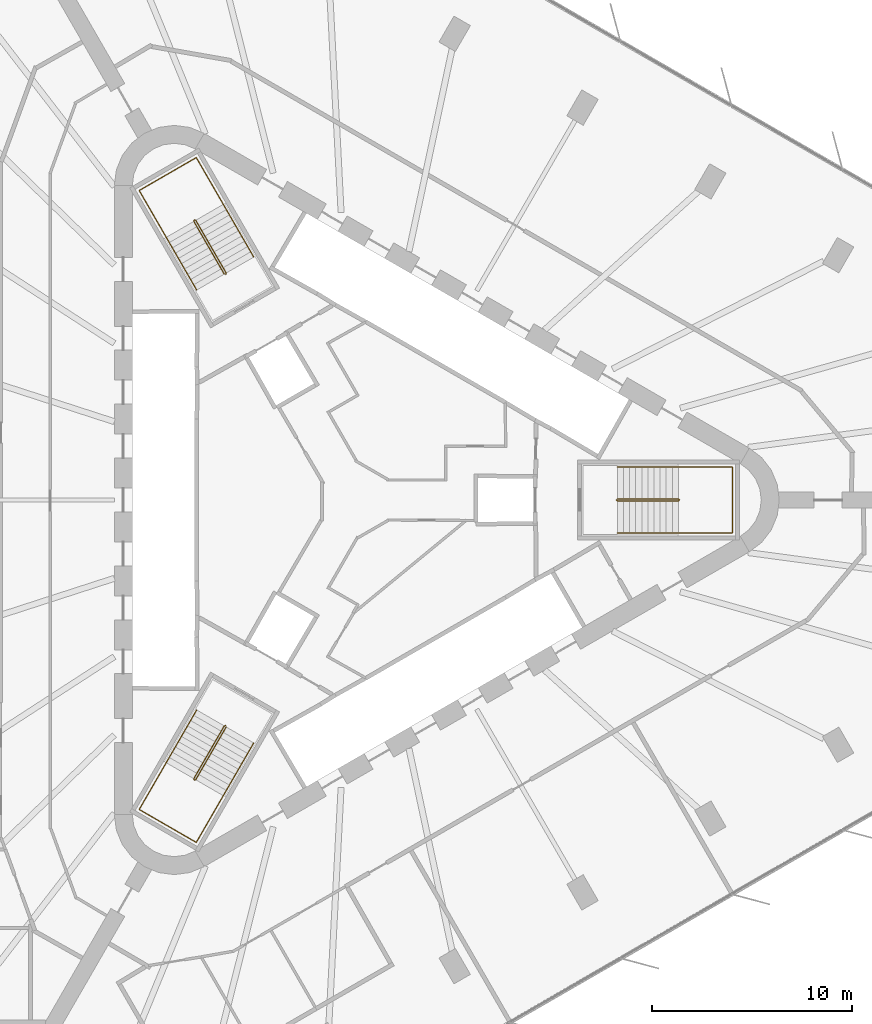
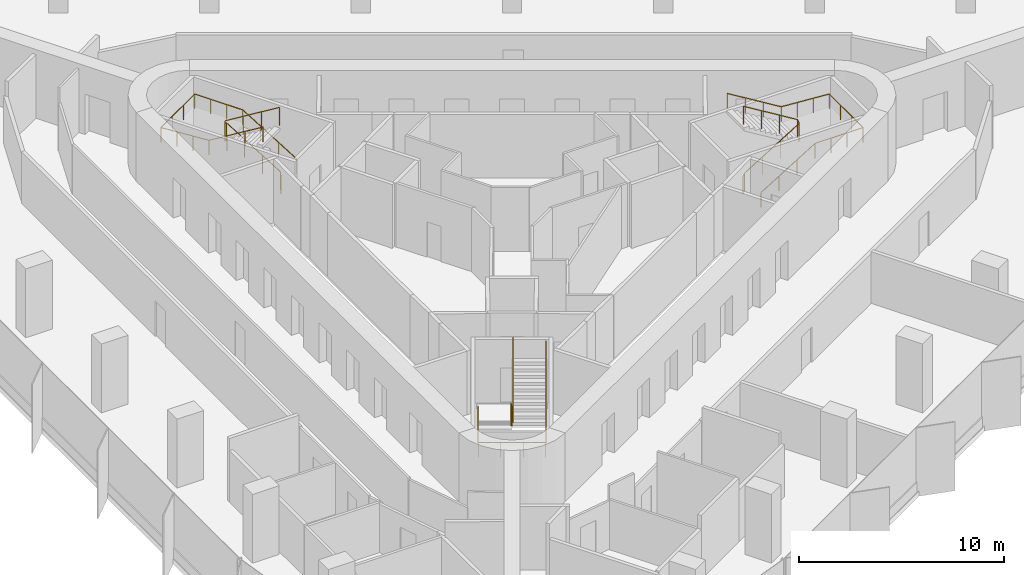
# One storey, part 15 of 15: 6 railings.
"""IFC4 building model written with IfcOpenShell, lengths in metres."""

from ifc_helpers import new_model, si_unit, direction, frame, origin, origin_2d, place, context, subcontext, project, spatial, circle, extrude, material, type_object, element, save


model = new_model("IFC4")

# Units and contexts
model_context = context("Model", 3, precision=1e-05, world=origin(), true_north=direction((0.0, 1.0)))
body_context = subcontext(model_context, "Body", "Model", "MODEL_VIEW")
ifc_project = project(units=[si_unit("LENGTHUNIT", "METRE"), si_unit("AREAUNIT", "SQUARE_METRE"), si_unit("VOLUMEUNIT", "CUBIC_METRE"), si_unit("PLANEANGLEUNIT", "RADIAN"), si_unit("MASSUNIT", "GRAM", prefix="KILO")], contexts=[model_context])

# Site, building, storey
site_placement = place(None, origin())
site = spatial("IfcSite", under=ifc_project, at=site_placement, CompositionType="ELEMENT")
building_placement = place(site_placement, origin())
building = spatial("IfcBuilding", under=site, at=building_placement, Name="Tanit Gate Tower", CompositionType="ELEMENT")
storey_placement = place(building_placement, frame((0.0, 0.0, 131.60009765625)))
storey = spatial("IfcBuildingStorey", under=building, at=storey_placement, Name="L28", CompositionType="ELEMENT", Elevation=131.60009765625)

# Railings
ifc_material_1 = material(Name="Stainless steel balustrade", Category="steel")
railing_type_1 = type_object("IfcRailingType", Name="INT-STAIR-GUARD", PredefinedType="GUARDRAIL", material=ifc_material_1)
railing_1_placement = place(storey_placement, frame((13.044921875, 0.0048828125, 0.0)))
element("IfcRailing", 1, at=railing_1_placement, inside=storey, type_object=railing_type_1, Name="L28 S1 stair guard 1", PredefinedType="GUARDRAIL", context=body_context, shape_type="SweptSolid", body=[
    extrude(circle(Radius=0.02392578125, at=origin_2d()), frame((0.0, 0.0, 1.076171875), z_axis=(0.0, -1.0, 0.0), x_axis=(1.0, 0.0, 0.0)), (0.0, 0.0, 1.0), 0.009765625),
    extrude(circle(Radius=0.02392578125, at=origin_2d()), frame((0.0, -0.009765625, 1.076171875), z_axis=(0.251157038772, -0.251157038772, 0.934794246747), x_axis=(0.707106781187, 0.707106781187, 0.0)), (0.0, 0.0, 1.0), 0.19921875),
    extrude(circle(Radius=0.02392578125, at=origin_2d()), frame((0.050048828125, -0.059814453125, 1.26220703125), z_axis=(0.853405036568, 0.0, 0.521248351134), x_axis=(0.0, 1.0, 0.0)), (0.0, 0.0, 1.0), 3.5751953125),
    extrude(circle(Radius=0.02392578125, at=origin_2d()), frame((3.10107421875, -0.059814453125, 3.1259765625), z_axis=(0.707106781187, 0.707106781187, 0.0), x_axis=(-0.707106781187, 0.707106781187, 0.0)), (0.0, 0.0, 1.0), 0.07080078125),
    extrude(circle(Radius=0.02392578125, at=origin_2d()), frame((3.151123046875, -0.009765625, 3.1259765625), z_axis=(0.0, 1.0, 0.0), x_axis=(-1.0, 0.0, 0.0)), (0.0, 0.0, 1.0), 0.009765625),
    extrude(circle(Radius=0.02392578125, at=origin_2d()), frame((3.151123046875, 0.0, 3.1259765625), z_axis=(-0.250869701741, 0.250869701741, 0.934948546978), x_axis=(-0.707106781187, -0.707106781187, 0.0)), (0.0, 0.0, 1.0), 0.199462890625),
    extrude(circle(Radius=0.02392578125, at=origin_2d()), frame((3.10107421875, 0.050048828125, 3.3125), z_axis=(-0.853405036568, 0.0, 0.521248351134), x_axis=(0.0, -1.0, 0.0)), (0.0, 0.0, 1.0), 3.5751953125),
    extrude(circle(Radius=0.02099609375, at=origin_2d()), origin(), (0.0, 0.0, 1.0), 1.052001953125),
    extrude(circle(Radius=0.02099609375, at=origin_2d()), frame((0.0, -0.009765625, 0.0)), (0.0, 0.0, 1.0), 1.052001953125),
    extrude(circle(Radius=0.02099609375, at=origin_2d()), frame((0.050048828125, -0.059814453125, 0.186279296875)), (0.0, 0.0, 1.0), 1.052001953125),
    extrude(circle(Radius=0.02099609375, at=origin_2d()), frame((1.067138671875, -0.059814453125, 0.807373046875)), (0.0, 0.0, 1.0), 1.052001953125),
    extrude(circle(Radius=0.02099609375, at=origin_2d()), frame((2.083984375, -0.059814453125, 1.4287109375)), (0.0, 0.0, 1.0), 1.052001953125),
    extrude(circle(Radius=0.02099609375, at=origin_2d()), frame((3.10107421875, -0.059814453125, 2.0498046875)), (0.0, 0.0, 1.0), 1.052001953125),
    extrude(circle(Radius=0.02099609375, at=origin_2d()), frame((3.151123046875, -0.009765625, 2.0498046875)), (0.0, 0.0, 1.0), 1.052001953125),
    extrude(circle(Radius=0.02099609375, at=origin_2d()), frame((3.151123046875, 0.0, 2.0498046875)), (0.0, 0.0, 1.0), 1.052001953125),
    extrude(circle(Radius=0.02099609375, at=origin_2d()), frame((3.10107421875, 0.050048828125, 2.236328125)), (0.0, 0.0, 1.0), 1.052001953125),
    extrude(circle(Radius=0.02099609375, at=origin_2d()), frame((2.083984375, 0.050048828125, 2.857421875)), (0.0, 0.0, 1.0), 1.052001953125),
    extrude(circle(Radius=0.02099609375, at=origin_2d()), frame((1.067138671875, 0.050048828125, 3.478759765625)), (0.0, 0.0, 1.0), 1.052001953125),
    extrude(circle(Radius=0.02099609375, at=origin_2d()), frame((0.050048828125, 0.050048828125, 4.099853515625)), (0.0, 0.0, 1.0), 1.052001953125),
])
railing_2_placement = place(storey_placement, frame((-6.527099609375, 11.29345703125, 0.0)))
element("IfcRailing", 2, at=railing_2_placement, inside=storey, type_object=railing_type_1, Name="L28 S2 stair guard 1", PredefinedType="GUARDRAIL", context=body_context, shape_type="SweptSolid", body=[
    extrude(circle(Radius=0.02392578125, at=origin_2d()), frame((0.0, 0.0, 1.076171875), z_axis=(0.868243142124, 0.496138938357, 0.0), x_axis=(-0.496138938357, 0.868243142124, 0.0)), (0.0, 0.0, 1.0), 0.01171875),
    extrude(circle(Radius=0.02392578125, at=origin_2d()), frame((0.01025390625, 0.005859375, 1.076171875), z_axis=(0.091888445584, 0.343050196848, 0.93481178641), x_axis=(-0.965948051503, 0.258736085224, 0.0)), (0.0, 0.0, 1.0), 0.19921875),
    extrude(circle(Radius=0.02392578125, at=origin_2d()), frame((0.028564453125, 0.07421875, 1.26220703125), z_axis=(-0.426651696395, 0.73893750972, 0.521478366466), x_axis=(-0.866012246495, -0.500022788402, 0.0)), (0.0, 0.0, 1.0), 3.573486328125),
    extrude(circle(Radius=0.02392578125, at=origin_2d()), frame((-1.49609375, 2.71484375, 3.1259765625), z_axis=(-0.965715946433, 0.259601060869, 0.0), x_axis=(-0.259601060869, -0.965715946433, 0.0)), (0.0, 0.0, 1.0), 0.070556640625),
    extrude(circle(Radius=0.02392578125, at=origin_2d()), frame((-1.564208984375, 2.733154296875, 3.1259765625), z_axis=(-0.873197702015, -0.487366159264, 0.0), x_axis=(0.487366159264, -0.873197702015, 0.0)), (0.0, 0.0, 1.0), 0.011962890625),
    extrude(circle(Radius=0.02392578125, at=origin_2d()), frame((-1.57470703125, 2.727294921875, 3.1259765625), z_axis=(-0.09178331637, -0.342657714447, 0.934966049419), x_axis=(0.965948051503, -0.258736085224, 0.0)), (0.0, 0.0, 1.0), 0.199462890625),
    extrude(circle(Radius=0.02392578125, at=origin_2d()), frame((-1.593017578125, 2.658935546875, 3.3125), z_axis=(0.426651696395, -0.73893750972, 0.521478366466), x_axis=(0.866012246495, 0.500022788402, 0.0)), (0.0, 0.0, 1.0), 3.573486328125),
    extrude(circle(Radius=0.02099609375, at=origin_2d()), origin(), (0.0, 0.0, 1.0), 1.052001953125),
    extrude(circle(Radius=0.02099609375, at=origin_2d()), frame((0.01025390625, 0.005859375, 0.0)), (0.0, 0.0, 1.0), 1.052001953125),
    extrude(circle(Radius=0.02099609375, at=origin_2d()), frame((0.028564453125, 0.07421875, 0.186279296875)), (0.0, 0.0, 1.0), 1.052001953125),
    extrude(circle(Radius=0.02099609375, at=origin_2d()), frame((-0.479736328125, 0.954345703125, 0.807373046875)), (0.0, 0.0, 1.0), 1.052001953125),
    extrude(circle(Radius=0.02099609375, at=origin_2d()), frame((-0.98779296875, 1.834716796875, 1.4287109375)), (0.0, 0.0, 1.0), 1.052001953125),
    extrude(circle(Radius=0.02099609375, at=origin_2d()), frame((-1.49609375, 2.71484375, 2.0498046875)), (0.0, 0.0, 1.0), 1.052001953125),
    extrude(circle(Radius=0.02099609375, at=origin_2d()), frame((-1.564208984375, 2.733154296875, 2.0498046875)), (0.0, 0.0, 1.0), 1.052001953125),
    extrude(circle(Radius=0.02099609375, at=origin_2d()), frame((-1.57470703125, 2.727294921875, 2.0498046875)), (0.0, 0.0, 1.0), 1.052001953125),
    extrude(circle(Radius=0.02099609375, at=origin_2d()), frame((-1.593017578125, 2.658935546875, 2.236328125)), (0.0, 0.0, 1.0), 1.052001953125),
    extrude(circle(Radius=0.02099609375, at=origin_2d()), frame((-1.084716796875, 1.77880859375, 2.857421875)), (0.0, 0.0, 1.0), 1.052001953125),
    extrude(circle(Radius=0.02099609375, at=origin_2d()), frame((-0.57666015625, 0.8984375, 3.478759765625)), (0.0, 0.0, 1.0), 1.052001953125),
    extrude(circle(Radius=0.02099609375, at=origin_2d()), frame((-0.068359375, 0.018310546875, 4.099853515625)), (0.0, 0.0, 1.0), 1.052001953125),
])
railing_3_placement = place(storey_placement, frame((-6.51806640625, -11.2998046875, 0.0)))
element("IfcRailing", 3, at=railing_3_placement, inside=storey, type_object=railing_type_1, Name="L28 S3 stair guard 1", PredefinedType="GUARDRAIL", context=body_context, shape_type="SweptSolid", body=[
    extrude(circle(Radius=0.02392578125, at=origin_2d()), frame((0.0, 0.0, 1.076171875), z_axis=(-0.874157276122, 0.485642931179, 0.0), x_axis=(-0.485642931179, -0.874157276122, 0.0)), (0.0, 0.0, 1.0), 0.010009765625),
    extrude(circle(Radius=0.02392578125, at=origin_2d()), frame((-0.0087890625, 0.0048828125, 1.076171875), z_axis=(-0.343088566343, -0.090673406819, 0.934916343285), x_axis=(0.255512919477, -0.966805641264, 0.0)), (0.0, 0.0, 1.0), 0.19921875),
    extrude(circle(Radius=0.02392578125, at=origin_2d()), frame((-0.0771484375, -0.01318359375, 1.26220703125), z_axis=(-0.426668548982, -0.73908990167, 0.521248565042), x_axis=(0.866048339477, -0.499960272111, 0.0)), (0.0, 0.0, 1.0), 3.5751953125),
    extrude(circle(Radius=0.02392578125, at=origin_2d()), frame((-1.6025390625, -2.655517578125, 3.1259765625), z_axis=(0.258736085224, -0.965948051503, 0.0), x_axis=(0.965948051503, 0.258736085224, 0.0)), (0.0, 0.0, 1.0), 0.07080078125),
    extrude(circle(Radius=0.02392578125, at=origin_2d()), frame((-1.584228515625, -2.723876953125, 3.1259765625), z_axis=(0.868243142124, -0.496138938357, 0.0), x_axis=(0.496138938357, 0.868243142124, 0.0)), (0.0, 0.0, 1.0), 0.009765625),
    extrude(circle(Radius=0.02392578125, at=origin_2d()), frame((-1.57568359375, -2.728759765625, 3.1259765625), z_axis=(0.342657714447, 0.09178331637, 0.934966049419), x_axis=(-0.258736085224, 0.965948051503, 0.0)), (0.0, 0.0, 1.0), 0.199462890625),
    extrude(circle(Radius=0.02392578125, at=origin_2d()), frame((-1.50732421875, -2.71044921875, 3.3125), z_axis=(0.426745940485, 0.73903737685, 0.521259683745), x_axis=(-0.865993683553, 0.500054937028, 0.0)), (0.0, 0.0, 1.0), 3.574951171875),
    extrude(circle(Radius=0.02099609375, at=origin_2d()), origin(), (0.0, 0.0, 1.0), 1.052001953125),
    extrude(circle(Radius=0.02099609375, at=origin_2d()), frame((-0.0087890625, 0.0048828125, 0.0)), (0.0, 0.0, 1.0), 1.052001953125),
    extrude(circle(Radius=0.02099609375, at=origin_2d()), frame((-0.0771484375, -0.01318359375, 0.186279296875)), (0.0, 0.0, 1.0), 1.052001953125),
    extrude(circle(Radius=0.02099609375, at=origin_2d()), frame((-0.585693359375, -0.89404296875, 0.807373046875)), (0.0, 0.0, 1.0), 1.052001953125),
    extrude(circle(Radius=0.02099609375, at=origin_2d()), frame((-1.093994140625, -1.774658203125, 1.4287109375)), (0.0, 0.0, 1.0), 1.052001953125),
    extrude(circle(Radius=0.02099609375, at=origin_2d()), frame((-1.6025390625, -2.655517578125, 2.0498046875)), (0.0, 0.0, 1.0), 1.052001953125),
    extrude(circle(Radius=0.02099609375, at=origin_2d()), frame((-1.584228515625, -2.723876953125, 2.0498046875)), (0.0, 0.0, 1.0), 1.052001953125),
    extrude(circle(Radius=0.02099609375, at=origin_2d()), frame((-1.57568359375, -2.728759765625, 2.0498046875)), (0.0, 0.0, 1.0), 1.052001953125),
    extrude(circle(Radius=0.02099609375, at=origin_2d()), frame((-1.50732421875, -2.71044921875, 2.236328125)), (0.0, 0.0, 1.0), 1.052001953125),
    extrude(circle(Radius=0.02099609375, at=origin_2d()), frame((-0.998779296875, -1.829833984375, 2.857421875)), (0.0, 0.0, 1.0), 1.052001953125),
    extrude(circle(Radius=0.02099609375, at=origin_2d()), frame((-0.490234375, -0.948974609375, 3.478759765625)), (0.0, 0.0, 1.0), 1.052001953125),
    extrude(circle(Radius=0.02099609375, at=origin_2d()), frame((0.018310546875, -0.068359375, 4.099853515625)), (0.0, 0.0, 1.0), 1.052001953125),
])
ifc_material_2 = material(Name="Stainless steel handrail", Category="steel")
railing_type_2 = type_object("IfcRailingType", Name="INT-STAIR-HANDRAIL", PredefinedType="HANDRAIL", material=ifc_material_2)
railing_4_placement = place(storey_placement, frame((13.094970703125, -1.64990234375, 0.186279296875)))
element("IfcRailing", 4, at=railing_4_placement, inside=storey, type_object=railing_type_2, Name="L28 S1 stair handrail 1", PredefinedType="HANDRAIL", context=body_context, shape_type="SweptSolid", body=[
    extrude(circle(Radius=0.02392578125, at=origin_2d()), frame((0.0, 0.0, 0.8759765625), z_axis=(0.853405036568, 0.0, 0.521248351134), x_axis=(0.0, 1.0, 0.0)), (0.0, 0.0, 1.0), 3.5751953125),
    extrude(circle(Radius=0.02392578125, at=origin_2d()), frame((3.051025390625, 0.0, 2.7392578125), z_axis=(1.0, 0.0, 0.0), x_axis=(0.0, 1.0, 0.0)), (0.0, 0.0, 1.0), 2.7041015625),
    extrude(circle(Radius=0.02392578125, at=origin_2d()), frame((5.755126953125, 0.0, 2.7392578125), z_axis=(0.0, 1.0, 0.0), x_axis=(-1.0, 0.0, 0.0)), (0.0, 0.0, 1.0), 3.2998046875),
    extrude(circle(Radius=0.02392578125, at=origin_2d()), frame((5.755126953125, 3.2998046875, 2.7392578125), z_axis=(-0.997629475601, 0.0, 0.068814456425), x_axis=(0.0, -1.0, 0.0)), (0.0, 0.0, 1.0), 2.71044921875),
    extrude(circle(Radius=0.02392578125, at=origin_2d()), frame((3.051025390625, 3.2998046875, 2.92578125), z_axis=(-0.853405036568, 0.0, 0.521248351134), x_axis=(0.0, -1.0, 0.0)), (0.0, 0.0, 1.0), 3.5751953125),
    extrude(circle(Radius=0.02099609375, at=origin_2d()), origin(), (0.0, 0.0, 1.0), 0.851806640625),
    extrude(circle(Radius=0.02099609375, at=origin_2d()), frame((1.01708984375, 0.0, 0.62109375)), (0.0, 0.0, 1.0), 0.851806640625),
    extrude(circle(Radius=0.02099609375, at=origin_2d()), frame((2.033935546875, 0.0, 1.242431640625)), (0.0, 0.0, 1.0), 0.851806640625),
    extrude(circle(Radius=0.02099609375, at=origin_2d()), frame((3.051025390625, 0.0, 1.863525390625)), (0.0, 0.0, 1.0), 0.851806640625),
    extrude(circle(Radius=0.02099609375, at=origin_2d()), frame((3.952392578125, 0.0, 1.863525390625)), (0.0, 0.0, 1.0), 0.851806640625),
    extrude(circle(Radius=0.02099609375, at=origin_2d()), frame((4.853759765625, 0.0, 1.863525390625)), (0.0, 0.0, 1.0), 0.851806640625),
    extrude(circle(Radius=0.02099609375, at=origin_2d()), frame((5.755126953125, 0.0, 1.863525390625)), (0.0, 0.0, 1.0), 0.851806640625),
    extrude(circle(Radius=0.02099609375, at=origin_2d()), frame((5.755126953125, 1.099853515625, 1.863525390625)), (0.0, 0.0, 1.0), 0.851806640625),
    extrude(circle(Radius=0.02099609375, at=origin_2d()), frame((5.755126953125, 2.199951171875, 1.863525390625)), (0.0, 0.0, 1.0), 0.851806640625),
    extrude(circle(Radius=0.02099609375, at=origin_2d()), frame((5.755126953125, 3.2998046875, 1.863525390625)), (0.0, 0.0, 1.0), 0.851806640625),
    extrude(circle(Radius=0.02099609375, at=origin_2d()), frame((4.853759765625, 3.2998046875, 1.92578125)), (0.0, 0.0, 1.0), 0.851806640625),
    extrude(circle(Radius=0.02099609375, at=origin_2d()), frame((3.952392578125, 3.2998046875, 1.98779296875)), (0.0, 0.0, 1.0), 0.851806640625),
    extrude(circle(Radius=0.02099609375, at=origin_2d()), frame((3.051025390625, 3.2998046875, 2.050048828125)), (0.0, 0.0, 1.0), 0.851806640625),
    extrude(circle(Radius=0.02099609375, at=origin_2d()), frame((2.033935546875, 3.2998046875, 2.671142578125)), (0.0, 0.0, 1.0), 0.851806640625),
    extrude(circle(Radius=0.02099609375, at=origin_2d()), frame((1.01708984375, 3.2998046875, 3.29248046875)), (0.0, 0.0, 1.0), 0.851806640625),
    extrude(circle(Radius=0.02099609375, at=origin_2d()), frame((0.0, 3.2998046875, 3.91357421875)), (0.0, 0.0, 1.0), 0.851806640625),
])
railing_5_placement = place(storey_placement, frame((-5.1181640625, 12.164794921875, 0.186279296875)))
element("IfcRailing", 5, at=railing_5_placement, inside=storey, type_object=railing_type_2, Name="L28 S2 stair handrail 1", PredefinedType="HANDRAIL", context=body_context, shape_type="SweptSolid", body=[
    extrude(circle(Radius=0.02392578125, at=origin_2d()), frame((0.0, 0.0, 0.8759765625), z_axis=(-0.426595811233, 0.738959047773, 0.521493566166), x_axis=(-0.866046917185, -0.499962735845, 0.0)), (0.0, 0.0, 1.0), 3.573486328125),
    extrude(circle(Radius=0.02392578125, at=origin_2d()), frame((-1.5244140625, 2.640625, 2.7392578125), z_axis=(-0.500019123664, 0.86601436245, 0.0), x_axis=(-0.86601436245, -0.500019123664, 0.0)), (0.0, 0.0, 1.0), 2.70703125),
    extrude(circle(Radius=0.02392578125, at=origin_2d()), frame((-2.8779296875, 4.98486328125, 2.7392578125), z_axis=(-0.866008176907, -0.50002983664, 0.0), x_axis=(0.50002983664, -0.866008176907, 0.0)), (0.0, 0.0, 1.0), 3.300048828125),
    extrude(circle(Radius=0.02392578125, at=origin_2d()), frame((-5.73583984375, 3.334716796875, 2.7392578125), z_axis=(0.498875061953, -0.86394290581, 0.068748294973), x_axis=(0.865991810323, 0.500058181068, 0.0)), (0.0, 0.0, 1.0), 2.713134765625),
    extrude(circle(Radius=0.02392578125, at=origin_2d()), frame((-4.38232421875, 0.99072265625, 2.92578125), z_axis=(0.426630158194, -0.738968522208, 0.521452041232), x_axis=(0.866032263162, 0.499988119021, 0.0)), (0.0, 0.0, 1.0), 3.57373046875),
    extrude(circle(Radius=0.02099609375, at=origin_2d()), origin(), (0.0, 0.0, 1.0), 0.851806640625),
    extrude(circle(Radius=0.02099609375, at=origin_2d()), frame((-0.508056640625, 0.880126953125, 0.62109375)), (0.0, 0.0, 1.0), 0.851806640625),
    extrude(circle(Radius=0.02099609375, at=origin_2d()), frame((-1.016357421875, 1.760498046875, 1.242431640625)), (0.0, 0.0, 1.0), 0.851806640625),
    extrude(circle(Radius=0.02099609375, at=origin_2d()), frame((-1.5244140625, 2.640625, 1.863525390625)), (0.0, 0.0, 1.0), 0.851806640625),
    extrude(circle(Radius=0.02099609375, at=origin_2d()), frame((-1.9755859375, 3.422119140625, 1.863525390625)), (0.0, 0.0, 1.0), 0.851806640625),
    extrude(circle(Radius=0.02099609375, at=origin_2d()), frame((-2.4267578125, 4.203369140625, 1.863525390625)), (0.0, 0.0, 1.0), 0.851806640625),
    extrude(circle(Radius=0.02099609375, at=origin_2d()), frame((-2.8779296875, 4.98486328125, 1.863525390625)), (0.0, 0.0, 1.0), 0.851806640625),
    extrude(circle(Radius=0.02099609375, at=origin_2d()), frame((-3.83056640625, 4.434814453125, 1.863525390625)), (0.0, 0.0, 1.0), 0.851806640625),
    extrude(circle(Radius=0.02099609375, at=origin_2d()), frame((-4.783203125, 3.884765625, 1.863525390625)), (0.0, 0.0, 1.0), 0.851806640625),
    extrude(circle(Radius=0.02099609375, at=origin_2d()), frame((-5.73583984375, 3.334716796875, 1.863525390625)), (0.0, 0.0, 1.0), 0.851806640625),
    extrude(circle(Radius=0.02099609375, at=origin_2d()), frame((-5.28466796875, 2.553466796875, 1.92578125)), (0.0, 0.0, 1.0), 0.851806640625),
    extrude(circle(Radius=0.02099609375, at=origin_2d()), frame((-4.83349609375, 1.77197265625, 1.98779296875)), (0.0, 0.0, 1.0), 0.851806640625),
    extrude(circle(Radius=0.02099609375, at=origin_2d()), frame((-4.38232421875, 0.99072265625, 2.050048828125)), (0.0, 0.0, 1.0), 0.851806640625),
    extrude(circle(Radius=0.02099609375, at=origin_2d()), frame((-3.8740234375, 0.1103515625, 2.671142578125)), (0.0, 0.0, 1.0), 0.851806640625),
    extrude(circle(Radius=0.02099609375, at=origin_2d()), frame((-3.365966796875, -0.769775390625, 3.29248046875)), (0.0, 0.0, 1.0), 0.851806640625),
    extrude(circle(Radius=0.02099609375, at=origin_2d()), frame((-2.857666015625, -1.650146484375, 3.91357421875)), (0.0, 0.0, 1.0), 0.851806640625),
])
railing_6_placement = place(storey_placement, frame((-7.9765625, -10.515625, 0.186279296875)))
element("IfcRailing", 6, at=railing_6_placement, inside=storey, type_object=railing_type_2, Name="L28 S3 stair handrail 1", PredefinedType="HANDRAIL", context=body_context, shape_type="SweptSolid", body=[
    extrude(circle(Radius=0.02392578125, at=origin_2d()), frame((0.0, 0.0, 0.8759765625), z_axis=(-0.426668548982, -0.73908990167, 0.521248565042), x_axis=(0.866048339477, -0.499960272111, 0.0)), (0.0, 0.0, 1.0), 3.5751953125),
    extrude(circle(Radius=0.02392578125, at=origin_2d()), frame((-1.525390625, -2.642333984375, 2.7392578125), z_axis=(-0.50004290449, -0.866000631449, 0.0), x_axis=(0.866000631449, -0.50004290449, 0.0)), (0.0, 0.0, 1.0), 2.703857421875),
    extrude(circle(Radius=0.02392578125, at=origin_2d()), frame((-2.87744140625, -4.98388671875, 2.7392578125), z_axis=(0.866008176907, -0.50002983664, 0.0), x_axis=(0.50002983664, 0.866008176907, 0.0)), (0.0, 0.0, 1.0), 3.300048828125),
    extrude(circle(Radius=0.02392578125, at=origin_2d()), frame((-0.01953125, -6.634033203125, 2.7392578125), z_axis=(0.498818517556, 0.863970245648, 0.068814977864), x_axis=(-0.866023205937, 0.500003806764, 0.0)), (0.0, 0.0, 1.0), 2.71044921875),
    extrude(circle(Radius=0.02392578125, at=origin_2d()), frame((1.33251953125, -4.292236328125, 2.92578125), z_axis=(0.426668548982, 0.73908990167, 0.521248565042), x_axis=(-0.866048339477, 0.499960272111, 0.0)), (0.0, 0.0, 1.0), 3.5751953125),
    extrude(circle(Radius=0.02099609375, at=origin_2d()), origin(), (0.0, 0.0, 1.0), 0.851806640625),
    extrude(circle(Radius=0.02099609375, at=origin_2d()), frame((-0.508544921875, -0.880859375, 0.62109375)), (0.0, 0.0, 1.0), 0.851806640625),
    extrude(circle(Radius=0.02099609375, at=origin_2d()), frame((-1.016845703125, -1.761474609375, 1.242431640625)), (0.0, 0.0, 1.0), 0.851806640625),
    extrude(circle(Radius=0.02099609375, at=origin_2d()), frame((-1.525390625, -2.642333984375, 1.863525390625)), (0.0, 0.0, 1.0), 0.851806640625),
    extrude(circle(Radius=0.02099609375, at=origin_2d()), frame((-1.97607421875, -3.4228515625, 1.863525390625)), (0.0, 0.0, 1.0), 0.851806640625),
    extrude(circle(Radius=0.02099609375, at=origin_2d()), frame((-2.4267578125, -4.203369140625, 1.863525390625)), (0.0, 0.0, 1.0), 0.851806640625),
    extrude(circle(Radius=0.02099609375, at=origin_2d()), frame((-2.87744140625, -4.98388671875, 1.863525390625)), (0.0, 0.0, 1.0), 0.851806640625),
    extrude(circle(Radius=0.02099609375, at=origin_2d()), frame((-1.9248046875, -5.533935546875, 1.863525390625)), (0.0, 0.0, 1.0), 0.851806640625),
    extrude(circle(Radius=0.02099609375, at=origin_2d()), frame((-0.97216796875, -6.083984375, 1.863525390625)), (0.0, 0.0, 1.0), 0.851806640625),
    extrude(circle(Radius=0.02099609375, at=origin_2d()), frame((-0.01953125, -6.634033203125, 1.863525390625)), (0.0, 0.0, 1.0), 0.851806640625),
    extrude(circle(Radius=0.02099609375, at=origin_2d()), frame((0.43115234375, -5.853515625, 1.92578125)), (0.0, 0.0, 1.0), 0.851806640625),
    extrude(circle(Radius=0.02099609375, at=origin_2d()), frame((0.8818359375, -5.07275390625, 1.98779296875)), (0.0, 0.0, 1.0), 0.851806640625),
    extrude(circle(Radius=0.02099609375, at=origin_2d()), frame((1.33251953125, -4.292236328125, 2.050048828125)), (0.0, 0.0, 1.0), 0.851806640625),
    extrude(circle(Radius=0.02099609375, at=origin_2d()), frame((1.841064453125, -3.411376953125, 2.671142578125)), (0.0, 0.0, 1.0), 0.851806640625),
    extrude(circle(Radius=0.02099609375, at=origin_2d()), frame((2.349365234375, -2.53076171875, 3.29248046875)), (0.0, 0.0, 1.0), 0.851806640625),
    extrude(circle(Radius=0.02099609375, at=origin_2d()), frame((2.85791015625, -1.64990234375, 3.91357421875)), (0.0, 0.0, 1.0), 0.851806640625),
])

save(model, "model.ifc")
